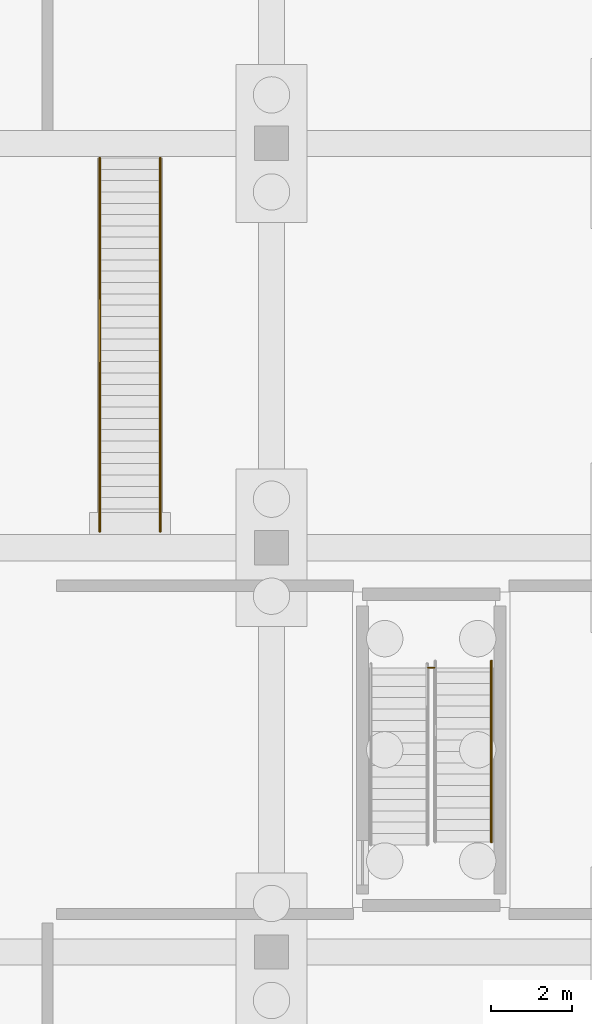
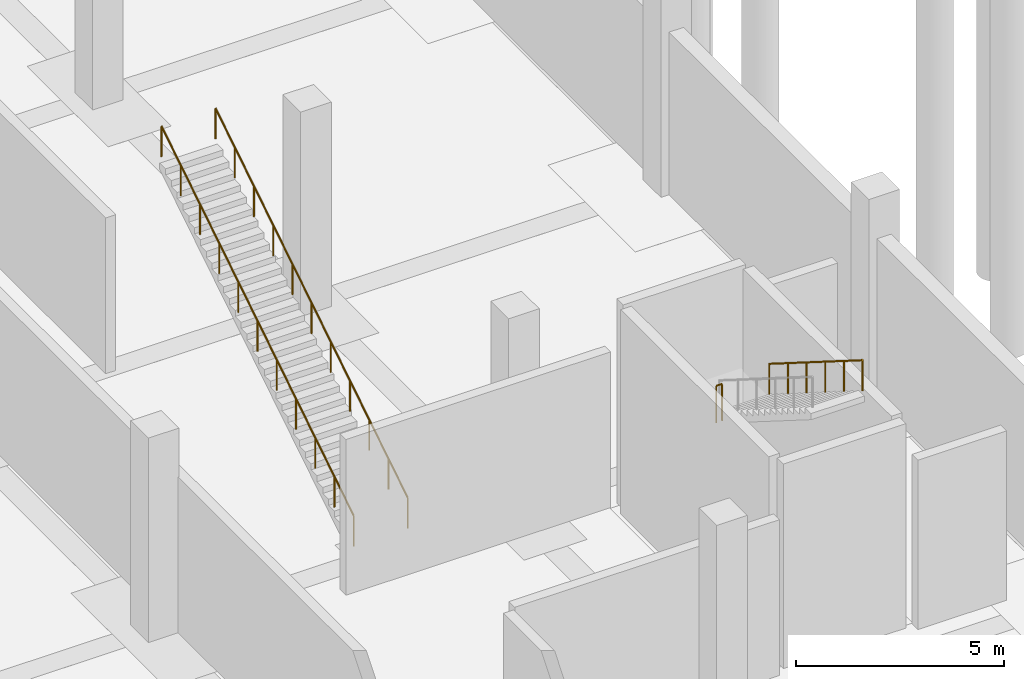
# One storey, part 115 of 140: 4 railings.
"""IFC4 building model written with IfcOpenShell, lengths in metres."""

from ifc_helpers import new_model, si_unit, direction, frame, origin, origin_2d, place, context, subcontext, project, spatial, circle, extrude, material, layer, layer_set, type_object, element, save


model = new_model("IFC4")

# Units and contexts
model_context = context("Model", 3, precision=1e-05, world=origin(), true_north=direction((0.0, 1.0)))
body_context = subcontext(model_context, "Body", "Model", "MODEL_VIEW")
ifc_project = project(units=[si_unit("LENGTHUNIT", "METRE"), si_unit("AREAUNIT", "SQUARE_METRE"), si_unit("VOLUMEUNIT", "CUBIC_METRE"), si_unit("PLANEANGLEUNIT", "RADIAN"), si_unit("MASSUNIT", "GRAM", prefix="KILO")], contexts=[model_context])

# Site, building, storey
site_placement = place(None, origin())
site = spatial("IfcSite", under=ifc_project, at=site_placement, CompositionType="ELEMENT")
building_placement = place(site_placement, origin())
building = spatial("IfcBuilding", under=site, at=building_placement, Name="Corvandel Quay Wholesale Market", CompositionType="ELEMENT")
storey_placement = place(building_placement, origin())
storey = spatial("IfcBuildingStorey", under=building, at=storey_placement, Name="L00", CompositionType="ELEMENT", Elevation=0.0)

# Railings
ifc_material_1 = material(Name="Painted galvanised tubular steel", Category="steel")
ifc_layer_1 = layer(ifc_material_1, 0.054931640625)
ifc_layer_set_1 = layer_set([ifc_layer_1], Name="Painted galvanised tubular steel")
railing_type_1 = type_object("IfcRailingType", Name="Stairwell Inner Guard Railing GR02 1100mm", PredefinedType="GUARDRAIL", material=ifc_layer_set_1)
railing_1_placement = place(storey_placement, frame((43.8701171875, 67.030029296875, 3.0)))
element("IfcRailing", 1, at=railing_1_placement, inside=storey, type_object=railing_type_1, Name="Stair Landing Well Guard 0123", PredefinedType="GUARDRAIL", context=body_context, shape_type="SweptSolid", body=[
    extrude(circle(Radius=0.02392578125, at=origin_2d()), frame((0.0, 0.0, 1.076171875), z_axis=(1.0, 0.0, 0.0), x_axis=(0.0, 1.0, 0.0)), (0.0, 0.0, 1.0), 0.159912109375),
    extrude(circle(Radius=0.02099609375, at=origin_2d()), origin(), (0.0, 0.0, 1.0), 1.052001953125),
    extrude(circle(Radius=0.02099609375, at=origin_2d()), frame((0.159912109375, 0.0, 0.0)), (0.0, 0.0, 1.0), 1.052001953125),
])
ifc_material_2 = material(Name="Brushed austenitic stainless steel Grade 316", Category="steel")
ifc_layer_2 = layer(ifc_material_2, 0.048095703125)
ifc_layer_set_2 = layer_set([ifc_layer_2], Name="Brushed austenitic stainless steel Grade 316")
railing_type_2 = type_object("IfcRailingType", Name="Tubular Stainless Stair Handrail HR01 915mm", PredefinedType="HANDRAIL", material=ifc_layer_set_2)
railing_2_placement = place(storey_placement, frame((45.43994140625, 67.199951171875, 3.176513671875)))
element("IfcRailing", 2, at=railing_2_placement, inside=storey, type_object=railing_type_2, Name="Stair Handrail 0122", PredefinedType="HANDRAIL", context=body_context, shape_type="SweptSolid", body=[
    extrude(circle(Radius=0.02392578125, at=origin_2d()), frame((0.0, 0.0, 0.89111328125), z_axis=(0.0, -0.845997938375, 0.533186166611), x_axis=(1.0, 0.0, 0.0)), (0.0, 0.0, 1.0), 5.29541015625),
    extrude(circle(Radius=0.02099609375, at=origin_2d()), origin(), (0.0, 0.0, 1.0), 0.866943359375),
    extrude(circle(Radius=0.02099609375, at=origin_2d()), frame((0.0, -0.89599609375, 0.564697265625)), (0.0, 0.0, 1.0), 0.866943359375),
    extrude(circle(Radius=0.02099609375, at=origin_2d()), frame((0.0, -1.7919921875, 1.12939453125)), (0.0, 0.0, 1.0), 0.866943359375),
    extrude(circle(Radius=0.02099609375, at=origin_2d()), frame((0.0, -2.68798828125, 1.694091796875)), (0.0, 0.0, 1.0), 0.866943359375),
    extrude(circle(Radius=0.02099609375, at=origin_2d()), frame((0.0, -3.583984375, 2.2587890625)), (0.0, 0.0, 1.0), 0.866943359375),
    extrude(circle(Radius=0.02099609375, at=origin_2d()), frame((0.0, -4.47998046875, 2.823486328125)), (0.0, 0.0, 1.0), 0.866943359375),
])
for number, where, name in (
    (3, (35.75, 70.39990234375, 0.176513671875), "Feature Stair Handrail 0241"),
    (4, (37.25, 70.39990234375, 0.176513671875), "Feature Stair Handrail 0242"),
):
    element("IfcRailing", number, at=place(storey_placement, frame(where)), inside=storey, type_object=railing_type_2, Name=name, PredefinedType="HANDRAIL", context=body_context, shape_type="SweptSolid", body=[
        extrude(circle(Radius=0.02392578125, at=origin_2d()), frame((0.0, 0.0, 0.89111328125), z_axis=(0.0, 0.845996842167, 0.533187905943), x_axis=(-1.0, 0.0, 0.0)), (0.0, 0.0, 1.0), 10.922119140625),
        extrude(circle(Radius=0.02099609375, at=origin_2d()), origin(), (0.0, 0.0, 1.0), 0.866943359375),
        extrude(circle(Radius=0.02099609375, at=origin_2d()), frame((0.0, 0.924072265625, 0.582275390625)), (0.0, 0.0, 1.0), 0.866943359375),
        extrude(circle(Radius=0.02099609375, at=origin_2d()), frame((0.0, 1.847900390625, 1.164794921875)), (0.0, 0.0, 1.0), 0.866943359375),
        extrude(circle(Radius=0.02099609375, at=origin_2d()), frame((0.0, 2.77197265625, 1.7470703125)), (0.0, 0.0, 1.0), 0.866943359375),
        extrude(circle(Radius=0.02099609375, at=origin_2d()), frame((0.0, 3.696044921875, 2.329345703125)), (0.0, 0.0, 1.0), 0.866943359375),
        extrude(circle(Radius=0.02099609375, at=origin_2d()), frame((0.0, 4.6201171875, 2.91162109375)), (0.0, 0.0, 1.0), 0.866943359375),
        extrude(circle(Radius=0.02099609375, at=origin_2d()), frame((0.0, 5.5439453125, 3.494140625)), (0.0, 0.0, 1.0), 0.866943359375),
        extrude(circle(Radius=0.02099609375, at=origin_2d()), frame((0.0, 6.468017578125, 4.076416015625)), (0.0, 0.0, 1.0), 0.866943359375),
        extrude(circle(Radius=0.02099609375, at=origin_2d()), frame((0.0, 7.39208984375, 4.65869140625)), (0.0, 0.0, 1.0), 0.866943359375),
        extrude(circle(Radius=0.02099609375, at=origin_2d()), frame((0.0, 8.31591796875, 5.2412109375)), (0.0, 0.0, 1.0), 0.866943359375),
        extrude(circle(Radius=0.02099609375, at=origin_2d()), frame((0.0, 9.239990234375, 5.823486328125)), (0.0, 0.0, 1.0), 0.866943359375),
    ])

save(model, "model.ifc")
